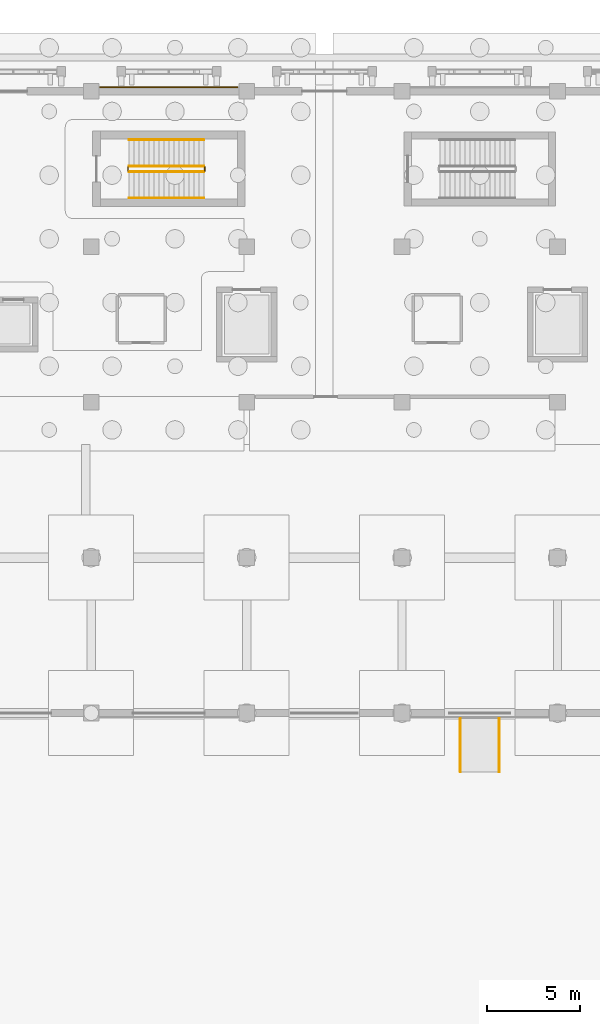
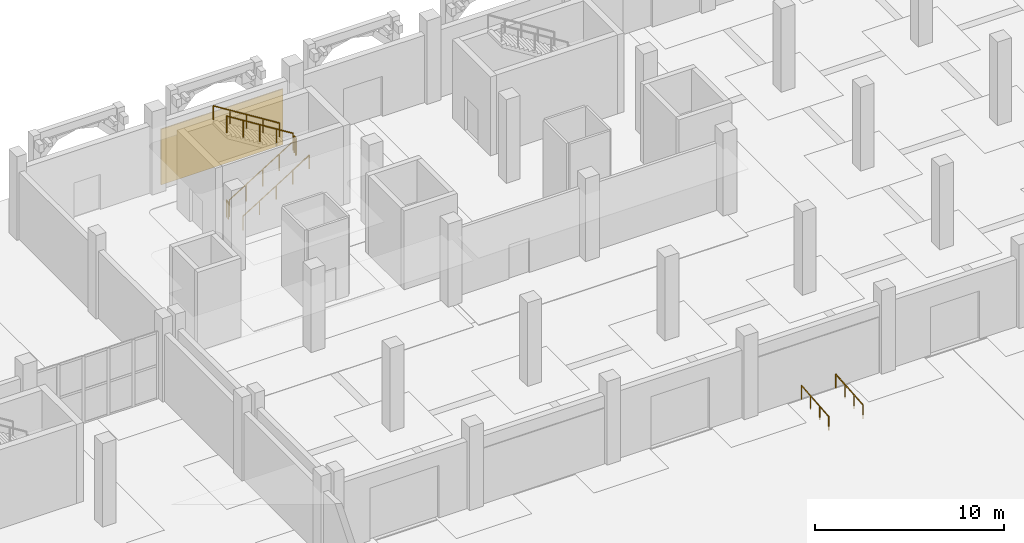
# One storey, part 94 of 98: 8 railings, 1 covering.
"""IFC4 building model written with IfcOpenShell, lengths in metres."""

from ifc_helpers import new_model, si_unit, direction, frame, origin, origin_2d, place, context, subcontext, project, spatial, rectangle, circle, extrude, material, layer, layer_set, type_object, element, save


model = new_model("IFC4")

# Units and contexts
model_context = context("Model", 3, precision=1e-05, world=origin(), true_north=direction((0.0, 1.0)))
body_context = subcontext(model_context, "Body", "Model", "MODEL_VIEW")
ifc_project = project(units=[si_unit("LENGTHUNIT", "METRE"), si_unit("AREAUNIT", "SQUARE_METRE"), si_unit("VOLUMEUNIT", "CUBIC_METRE"), si_unit("PLANEANGLEUNIT", "RADIAN"), si_unit("MASSUNIT", "GRAM", prefix="KILO")], contexts=[model_context])

# Site, building, storey
site_placement = place(None, origin())
site = spatial("IfcSite", under=ifc_project, at=site_placement, CompositionType="ELEMENT")
building_placement = place(site_placement, origin())
building = spatial("IfcBuilding", under=site, at=building_placement, Name="Xazarin Passage Department Store", CompositionType="ELEMENT")
storey_placement = place(building_placement, origin())
storey = spatial("IfcBuildingStorey", under=building, at=storey_placement, Name="L00", CompositionType="ELEMENT", Elevation=0.0)

# Covering
ifc_material_1 = material(Name="Absheron limestone cladding", Category="masonry")
ifc_layer = layer(ifc_material_1, 0.06005859375)
ifc_layer_set = layer_set([ifc_layer], Name="Absheron limestone cladding")
covering_type = type_object("IfcCoveringType", Name="ARC-COV-CLD060", PredefinedType="CLADDING", material=ifc_layer_set)
covering_placement = place(storey_placement, frame((115.0, 110.219970703125, 0.0), z_axis=(0.0, 0.0, 1.0), x_axis=(1.0, 0.0, 0.0)))
element("IfcCovering", 1, at=covering_placement, inside=storey, type_object=covering_type, Name="L00 Absheron Limestone Plinth Cladding 256", PredefinedType="CLADDING", context=body_context, shape_type="SweptSolid", body=[
    extrude(rectangle(XDim=7.449951171875, YDim=0.06005859375, at=origin_2d()), origin(), (0.0, 0.0, 1.0), 3.60009765625),
])

# Railings
ifc_material_2 = material(Name="Steel S355", Category="steel")
railing_type_1 = type_object("IfcRailingType", Name="ARC-RL-GRD112", PredefinedType="GUARDRAIL", material=ifc_material_2)
railing_1_placement = place(storey_placement, frame((112.840087890625, 105.64990234375, 0.168701171875)))
element("IfcRailing", 2, at=railing_1_placement, inside=storey, type_object=railing_type_1, Name="L00 ST10 stair guard 1", PredefinedType="GUARDRAIL", context=body_context, shape_type="SweptSolid", body=[
    extrude(circle(Radius=0.02392578125, at=origin_2d()), frame((0.0, 0.0, 1.076171875), z_axis=(0.847986816054, 0.0, 0.530017320282), x_axis=(0.0, 1.0, 0.0)), (0.0, 0.0, 1.0), 4.77587890625),
    extrude(circle(Radius=0.02099609375, at=origin_2d()), origin(), (0.0, 0.0, 1.0), 1.0517578125),
    extrude(circle(Radius=0.02099609375, at=origin_2d()), frame((1.012451171875, 0.0, 0.6328125)), (0.0, 0.0, 1.0), 1.0517578125),
    extrude(circle(Radius=0.02099609375, at=origin_2d()), frame((2.02490234375, 0.0, 1.265625)), (0.0, 0.0, 1.0), 1.0517578125),
    extrude(circle(Radius=0.02099609375, at=origin_2d()), frame((3.037353515625, 0.0, 1.8984375)), (0.0, 0.0, 1.0), 1.0517578125),
    extrude(circle(Radius=0.02099609375, at=origin_2d()), frame((4.0498046875, 0.0, 2.53125)), (0.0, 0.0, 1.0), 1.0517578125),
])
railing_2_placement = place(storey_placement, frame((116.93994140625, 105.699951171875, 2.699951171875)))
element("IfcRailing", 3, at=railing_2_placement, inside=storey, type_object=railing_type_1, Name="L00 ST10 stair guard 2", PredefinedType="GUARDRAIL", context=body_context, shape_type="SweptSolid", body=[
    extrude(circle(Radius=0.02392578125, at=origin_2d()), frame((0.0, 0.0, 1.076171875), z_axis=(0.0, 1.0, 0.0), x_axis=(-1.0, 0.0, 0.0)), (0.0, 0.0, 1.0), 0.199951171875),
    extrude(circle(Radius=0.02099609375, at=origin_2d()), origin(), (0.0, 0.0, 1.0), 1.0517578125),
    extrude(circle(Radius=0.02099609375, at=origin_2d()), frame((0.0, 0.199951171875, 0.0)), (0.0, 0.0, 1.0), 1.0517578125),
])
railing_3_placement = place(storey_placement, frame((116.889892578125, 105.949951171875, 2.86865234375)))
element("IfcRailing", 4, at=railing_3_placement, inside=storey, type_object=railing_type_1, Name="L00 ST10 stair guard 3", PredefinedType="GUARDRAIL", context=body_context, shape_type="SweptSolid", body=[
    extrude(circle(Radius=0.02392578125, at=origin_2d()), frame((0.0, 0.0, 1.076171875), z_axis=(-0.847986816054, 0.0, 0.530017320282), x_axis=(0.0, -1.0, 0.0)), (0.0, 0.0, 1.0), 4.77587890625),
    extrude(circle(Radius=0.02099609375, at=origin_2d()), origin(), (0.0, 0.0, 1.0), 1.0517578125),
    extrude(circle(Radius=0.02099609375, at=origin_2d()), frame((-1.012451171875, 0.0, 0.6328125)), (0.0, 0.0, 1.0), 1.0517578125),
    extrude(circle(Radius=0.02099609375, at=origin_2d()), frame((-2.02490234375, 0.0, 1.265625)), (0.0, 0.0, 1.0), 1.0517578125),
    extrude(circle(Radius=0.02099609375, at=origin_2d()), frame((-3.037353515625, 0.0, 1.8984375)), (0.0, 0.0, 1.0), 1.0517578125),
    extrude(circle(Radius=0.02099609375, at=origin_2d()), frame((-4.0498046875, 0.0, 2.53125)), (0.0, 0.0, 1.0), 1.0517578125),
])
railing_4_placement = place(storey_placement, frame((112.7900390625, 105.699951171875, 0.0)))
element("IfcRailing", 5, at=railing_4_placement, inside=storey, type_object=railing_type_1, Name="L00 ST10 stair guard 4", PredefinedType="GUARDRAIL", context=body_context, shape_type="SweptSolid", body=[
    extrude(circle(Radius=0.02392578125, at=origin_2d()), frame((0.0, 0.0, 1.076171875), z_axis=(0.0, 1.0, 0.0), x_axis=(-1.0, 0.0, 0.0)), (0.0, 0.0, 1.0), 0.199951171875),
    extrude(circle(Radius=0.02099609375, at=origin_2d()), origin(), (0.0, 0.0, 1.0), 1.0517578125),
    extrude(circle(Radius=0.02099609375, at=origin_2d()), frame((0.0, 0.199951171875, 0.0)), (0.0, 0.0, 1.0), 1.0517578125),
])
railing_type_2 = type_object("IfcRailingType", Name="ARC-RL-HND090", PredefinedType="HANDRAIL", material=ifc_material_2)
for number, where, name in (
    (6, (130.75, 73.219970703125, -0.239990234375), "RMP-06 Left Handrail"),
    (7, (132.85009765625, 73.219970703125, -0.239990234375), "RMP-06 Right Handrail"),
):
    element("IfcRailing", number, at=place(storey_placement, frame(where)), inside=storey, type_object=railing_type_2, Name=name, PredefinedType="HANDRAIL", context=body_context, shape_type="SweptSolid", body=[
        extrude(circle(Radius=0.02392578125, at=origin_2d()), frame((0.0, 0.0, 0.8759765625), z_axis=(0.0, 0.996546340804, 0.083038488854), x_axis=(-1.0, 0.0, 0.0)), (0.0, 0.0, 1.0), 2.89013671875),
        extrude(circle(Radius=0.02099609375, at=origin_2d()), origin(), (0.0, 0.0, 1.0), 0.8515625),
        extrude(circle(Radius=0.02099609375, at=origin_2d()), frame((0.0, 0.9599609375, 0.080078125)), (0.0, 0.0, 1.0), 0.8515625),
        extrude(circle(Radius=0.02099609375, at=origin_2d()), frame((0.0, 1.920166015625, 0.159912109375)), (0.0, 0.0, 1.0), 0.8515625),
        extrude(circle(Radius=0.02099609375, at=origin_2d()), frame((0.0, 2.880126953125, 0.239990234375)), (0.0, 0.0, 1.0), 0.8515625),
    ])
railing_5_placement = place(storey_placement, frame((112.840087890625, 104.22998046875, 0.168701171875)))
element("IfcRailing", 8, at=railing_5_placement, inside=storey, type_object=railing_type_2, Name="L00 ST10 stair handrail 1", PredefinedType="HANDRAIL", context=body_context, shape_type="SweptSolid", body=[
    extrude(circle(Radius=0.02392578125, at=origin_2d()), frame((0.0, 0.0, 0.8759765625), z_axis=(0.847986816054, 0.0, 0.530017320282), x_axis=(0.0, 1.0, 0.0)), (0.0, 0.0, 1.0), 4.77587890625),
    extrude(circle(Radius=0.02099609375, at=origin_2d()), origin(), (0.0, 0.0, 1.0), 0.8515625),
    extrude(circle(Radius=0.02099609375, at=origin_2d()), frame((1.012451171875, 0.0, 0.6328125)), (0.0, 0.0, 1.0), 0.8515625),
    extrude(circle(Radius=0.02099609375, at=origin_2d()), frame((2.02490234375, 0.0, 1.265625)), (0.0, 0.0, 1.0), 0.8515625),
    extrude(circle(Radius=0.02099609375, at=origin_2d()), frame((3.037353515625, 0.0, 1.8984375)), (0.0, 0.0, 1.0), 0.8515625),
    extrude(circle(Radius=0.02099609375, at=origin_2d()), frame((4.0498046875, 0.0, 2.53125)), (0.0, 0.0, 1.0), 0.8515625),
])
railing_6_placement = place(storey_placement, frame((116.889892578125, 107.3701171875, 2.86865234375)))
element("IfcRailing", 9, at=railing_6_placement, inside=storey, type_object=railing_type_2, Name="L00 ST10 stair handrail 2", PredefinedType="HANDRAIL", context=body_context, shape_type="SweptSolid", body=[
    extrude(circle(Radius=0.02392578125, at=origin_2d()), frame((0.0, 0.0, 0.8759765625), z_axis=(-0.847986816054, 0.0, 0.530017320282), x_axis=(0.0, -1.0, 0.0)), (0.0, 0.0, 1.0), 4.77587890625),
    extrude(circle(Radius=0.02099609375, at=origin_2d()), origin(), (0.0, 0.0, 1.0), 0.8515625),
    extrude(circle(Radius=0.02099609375, at=origin_2d()), frame((-1.012451171875, 0.0, 0.6328125)), (0.0, 0.0, 1.0), 0.8515625),
    extrude(circle(Radius=0.02099609375, at=origin_2d()), frame((-2.02490234375, 0.0, 1.265625)), (0.0, 0.0, 1.0), 0.8515625),
    extrude(circle(Radius=0.02099609375, at=origin_2d()), frame((-3.037353515625, 0.0, 1.8984375)), (0.0, 0.0, 1.0), 0.8515625),
    extrude(circle(Radius=0.02099609375, at=origin_2d()), frame((-4.0498046875, 0.0, 2.53125)), (0.0, 0.0, 1.0), 0.8515625),
])

save(model, "model.ifc")
